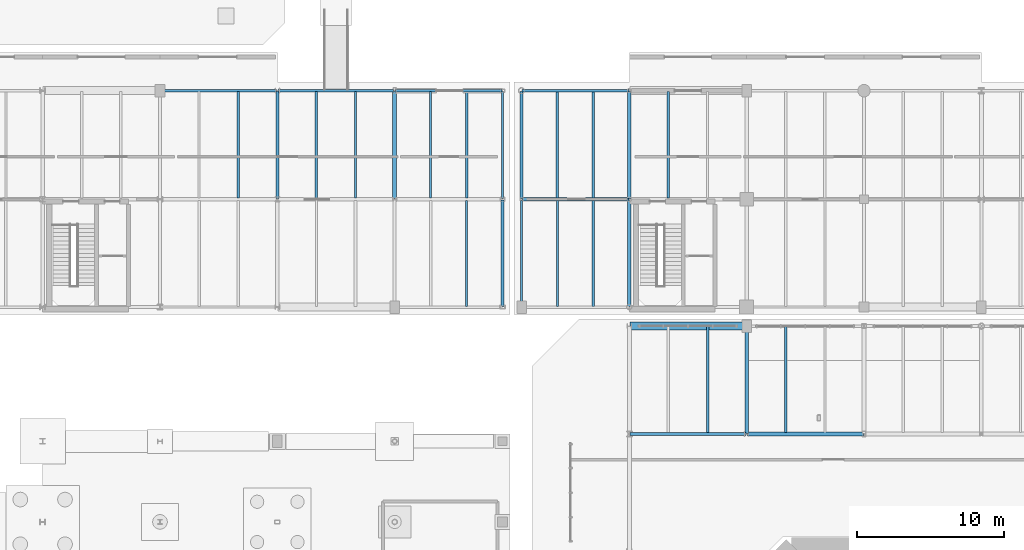
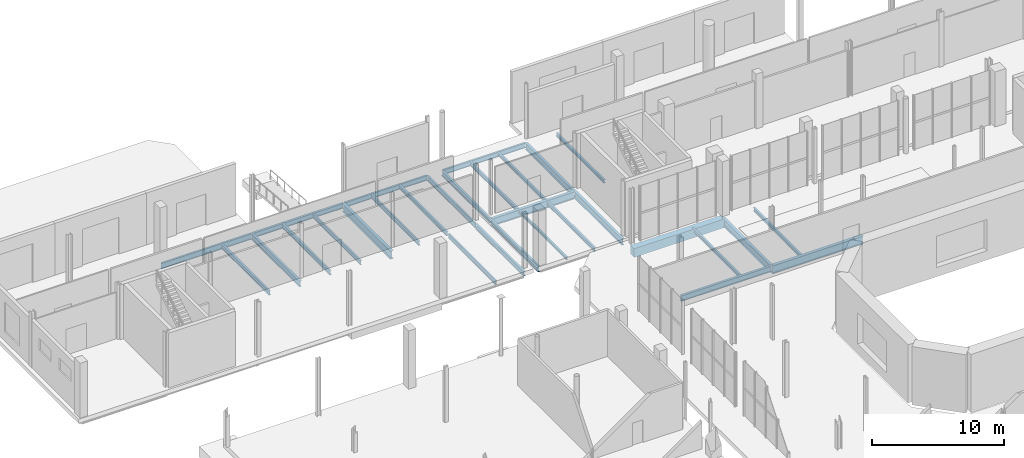
# One storey, part 46 of 87: 30 beams.
"""IFC4 building model written with IfcOpenShell, lengths in metres."""

from ifc_helpers import new_model, si_unit, direction, frame, origin, origin_2d, place, context, subcontext, project, spatial, rectangle, i_section, extrude, material, material_profile, profile_set, type_object, element, save


model = new_model("IFC4")

# Units and contexts
model_context = context("Model", 3, precision=1e-05, world=origin(), true_north=direction((0.0, 1.0)))
body_context = subcontext(model_context, "Body", "Model", "MODEL_VIEW")
ifc_project = project(units=[si_unit("LENGTHUNIT", "METRE"), si_unit("AREAUNIT", "SQUARE_METRE"), si_unit("VOLUMEUNIT", "CUBIC_METRE"), si_unit("PLANEANGLEUNIT", "RADIAN"), si_unit("MASSUNIT", "GRAM", prefix="KILO")], contexts=[model_context])

# Site, building, storey
site_placement = place(None, origin())
site = spatial("IfcSite", under=ifc_project, at=site_placement, CompositionType="ELEMENT")
building_placement = place(site_placement, origin())
building = spatial("IfcBuilding", under=site, at=building_placement, Name="Brisemont Oceanarium", CompositionType="ELEMENT")
storey_placement = place(building_placement, origin())
storey = spatial("IfcBuildingStorey", under=building, at=storey_placement, Name="L00", CompositionType="ELEMENT", Elevation=0.0)

# Beams
ifc_material_1 = material(Name="Concrete C40/50", Category="concrete")
ifc_material_profile_1 = material_profile(ifc_material_1, rectangle(XDim=0.550048828125, YDim=0.800048828125, at=origin_2d()), Name="RC-BM-550X800")
ifc_profile_set_1 = profile_set([ifc_material_profile_1], Name="Concrete C40/50")
beam_type_1 = type_object("IfcBeamType", Name="BM-RC550X800", PredefinedType="SPANDREL", material=ifc_profile_set_1)
beam_1_placement = place(storey_placement, frame((64.0400390625, 79.35009765625, -0.780029296875), z_axis=(1.0, 0.0, 0.0), x_axis=(0.0, 1.0, 0.0)))
element("IfcBeam", 1, at=beam_1_placement, inside=storey, type_object=beam_type_1, Name="V1 L00 EW girder", PredefinedType="SPANDREL", context=body_context, shape_type="SweptSolid", body=[
    extrude(rectangle(XDim=0.550048828125, YDim=0.800048828125, at=origin_2d()), origin(), (0.0, 0.0, 1.0), 7.919921875),
])
ifc_material_2 = material(Name="Structural Steel ASTM A992 Gr.50", Category="steel")
ifc_material_profile_2 = material_profile(ifc_material_2, i_section(OverallWidth=0.14599609375, OverallDepth=0.259033203125, WebThickness=0.006103515625, FlangeThickness=0.009033203125, FilletRadius=0.008056640625, at=origin_2d()), Name="W10X22")
ifc_profile_set_2 = profile_set([ifc_material_profile_2], Name="Structural Steel ASTM A992 Gr.50")
beam_type_2 = type_object("IfcBeamType", Name="BM-W10X22", PredefinedType="LINTEL", material=ifc_profile_set_2)
beam_2_placement = place(storey_placement, frame((59.10009765625, 80.68994140625, -0.509521484375), z_axis=(0.0, 1.0, 0.0), x_axis=(-1.0, 0.0, 0.0)))
element("IfcBeam", 2, at=beam_2_placement, inside=storey, type_object=beam_type_2, Name="V7E L00 secondary floor beam", PredefinedType="LINTEL", context=body_context, shape_type="SweptSolid", body=[
    extrude(i_section(OverallWidth=0.14599609375, OverallDepth=0.259033203125, WebThickness=0.006103515625, FlangeThickness=0.009033203125, FilletRadius=0.008056640625, at=origin_2d()), origin(), (0.0, 0.0, 1.0), 7.219970703125),
])
ifc_material_3 = material(Name="Structural Steel ASTM A992 Gr.50", Category="steel")
ifc_material_profile_3 = material_profile(ifc_material_3, i_section(OverallWidth=0.1650390625, OverallDepth=0.31005859375, WebThickness=0.005859375, FlangeThickness=0.009765625, FilletRadius=0.008056640625, at=origin_2d()), Name="W12X26")
ifc_profile_set_3 = profile_set([ifc_material_profile_3], Name="Structural Steel ASTM A992 Gr.50")
beam_type_3 = type_object("IfcBeamType", Name="BM-W12X26", PredefinedType="JOIST", material=ifc_profile_set_3)
for number, where, z_axis, x_axis, name in (
    (3, (69.333251953125, 72.090087890625, -0.534912109375), (0.0, 1.0, 0.0), (-1.0, 0.0, 0.0), "V1 L00 secondary floor beam"),
    (4, (74.666748046875, 72.090087890625, -0.534912109375), (0.0, 1.0, 0.0), (-1.0, 0.0, 0.0), "V1 L00 secondary floor beam"),
):
    element("IfcBeam", number, at=place(storey_placement, frame(where, z_axis=z_axis, x_axis=x_axis)), inside=storey, type_object=beam_type_3, Name=name, PredefinedType="JOIST", context=body_context, shape_type="SweptSolid", body=[
        extrude(i_section(OverallWidth=0.1650390625, OverallDepth=0.31005859375, WebThickness=0.005859375, FlangeThickness=0.009765625, FilletRadius=0.008056640625, at=origin_2d()), origin(), (0.0, 0.0, 1.0), 7.219970703125),
    ])
for number, where, z_axis, x_axis, name in (
    (5, (61.550048828125, 88.090087890625, -0.534912109375), (0.0, 1.0, 0.0), (-1.0, 0.0, 0.0), "V7E L00 secondary floor beam"),
    (6, (66.666748046875, 88.090087890625, -0.534912109375), (0.0, 1.0, 0.0), (-1.0, 0.0, 0.0), "V7E L00 secondary floor beam"),
):
    element("IfcBeam", number, at=place(storey_placement, frame(where, z_axis=z_axis, x_axis=x_axis)), inside=storey, type_object=beam_type_3, Name=name, PredefinedType="JOIST", context=body_context, shape_type="SweptSolid", body=[
        extrude(i_section(OverallWidth=0.1650390625, OverallDepth=0.31005859375, WebThickness=0.005859375, FlangeThickness=0.009765625, FilletRadius=0.008056640625, at=origin_2d()), origin(), (0.0, 0.0, 1.0), 7.27001953125),
    ])
ifc_material_4 = material(Name="Structural Steel ASTM A992 Gr.50", Category="steel")
ifc_material_profile_4 = material_profile(ifc_material_4, i_section(OverallWidth=0.1708984375, OverallDepth=0.35107421875, WebThickness=0.0068359375, FlangeThickness=0.009765625, FilletRadius=0.010009765625, at=origin_2d()), Name="W14X30")
ifc_profile_set_4 = profile_set([ifc_material_profile_4], Name="Structural Steel ASTM A992 Gr.50")
beam_type_4 = type_object("IfcBeamType", Name="BM-W14X30", PredefinedType="JOIST", material=ifc_profile_set_4)
beam_3_placement = place(storey_placement, frame((52.89990234375, 88.090087890625, -0.555419921875), z_axis=(0.0, 1.0, 0.0), x_axis=(-1.0, 0.0, 0.0)))
element("IfcBeam", 7, at=beam_3_placement, inside=storey, type_object=beam_type_4, Name="V7W L00 secondary floor beam", PredefinedType="JOIST", context=body_context, shape_type="SweptSolid", body=[
    extrude(i_section(OverallWidth=0.1708984375, OverallDepth=0.35107421875, WebThickness=0.0068359375, FlangeThickness=0.009765625, FilletRadius=0.010009765625, at=origin_2d()), origin(), (0.0, 0.0, 1.0), 7.27001953125),
])
beam_4_placement = place(storey_placement, frame((61.550048828125, 80.68994140625, -0.555419921875), z_axis=(0.0, 1.0, 0.0), x_axis=(-1.0, 0.0, 0.0)))
element("IfcBeam", 8, at=beam_4_placement, inside=storey, type_object=beam_type_4, Name="V7E L00 secondary floor beam", PredefinedType="JOIST", context=body_context, shape_type="SweptSolid", body=[
    extrude(i_section(OverallWidth=0.1708984375, OverallDepth=0.35107421875, WebThickness=0.0068359375, FlangeThickness=0.009765625, FilletRadius=0.010009765625, at=origin_2d()), origin(), (0.0, 0.0, 1.0), 7.219970703125),
])
beam_5_placement = place(storey_placement, frame((59.10009765625, 88.090087890625, -0.555419921875), z_axis=(0.0, 1.0, 0.0), x_axis=(-1.0, 0.0, 0.0)))
element("IfcBeam", 9, at=beam_5_placement, inside=storey, type_object=beam_type_4, Name="V7E L00 secondary floor beam", PredefinedType="JOIST", context=body_context, shape_type="SweptSolid", body=[
    extrude(i_section(OverallWidth=0.1708984375, OverallDepth=0.35107421875, WebThickness=0.0068359375, FlangeThickness=0.009765625, FilletRadius=0.010009765625, at=origin_2d()), origin(), (0.0, 0.0, 1.0), 7.27001953125),
])
ifc_material_5 = material(Name="Structural Steel ASTM A992 Gr.50", Category="steel")
ifc_material_profile_5 = material_profile(ifc_material_5, i_section(OverallWidth=0.139892578125, OverallDepth=0.39892578125, WebThickness=0.00634765625, FlangeThickness=0.0087890625, FilletRadius=0.010009765625, at=origin_2d()), Name="W16X26")
ifc_profile_set_5 = profile_set([ifc_material_profile_5], Name="Structural Steel ASTM A992 Gr.50")
beam_type_5 = type_object("IfcBeamType", Name="BM-W16X26", PredefinedType="JOIST", material=ifc_profile_set_5)
beam_6_placement = place(storey_placement, frame((45.333251953125, 88.090087890625, -0.57958984375), z_axis=(0.0, 1.0, 0.0), x_axis=(-1.0, 0.0, 0.0)))
element("IfcBeam", 10, at=beam_6_placement, inside=storey, type_object=beam_type_5, Name="V7W L00 secondary floor beam", PredefinedType="JOIST", context=body_context, shape_type="SweptSolid", body=[
    extrude(i_section(OverallWidth=0.139892578125, OverallDepth=0.39892578125, WebThickness=0.00634765625, FlangeThickness=0.0087890625, FilletRadius=0.010009765625, at=origin_2d()), origin(), (0.0, 0.0, 1.0), 7.27001953125),
])
beam_7_placement = place(storey_placement, frame((52.89990234375, 80.68994140625, -0.57958984375), z_axis=(0.0, 1.0, 0.0), x_axis=(-1.0, 0.0, 0.0)))
element("IfcBeam", 11, at=beam_7_placement, inside=storey, type_object=beam_type_5, Name="V7W L00 secondary floor beam", PredefinedType="JOIST", context=body_context, shape_type="SweptSolid", body=[
    extrude(i_section(OverallWidth=0.139892578125, OverallDepth=0.39892578125, WebThickness=0.00634765625, FlangeThickness=0.0087890625, FilletRadius=0.010009765625, at=origin_2d()), origin(), (0.0, 0.0, 1.0), 7.219970703125),
])
beam_8_placement = place(storey_placement, frame((50.449951171875, 88.090087890625, -0.57958984375), z_axis=(0.0, 1.0, 0.0), x_axis=(-1.0, 0.0, 0.0)))
element("IfcBeam", 12, at=beam_8_placement, inside=storey, type_object=beam_type_5, Name="V7W L00 secondary floor beam", PredefinedType="JOIST", context=body_context, shape_type="SweptSolid", body=[
    extrude(i_section(OverallWidth=0.139892578125, OverallDepth=0.39892578125, WebThickness=0.00634765625, FlangeThickness=0.0087890625, FilletRadius=0.010009765625, at=origin_2d()), origin(), (0.0, 0.0, 1.0), 7.27001953125),
])
ifc_material_6 = material(Name="Structural Steel ASTM A992 Gr.50", Category="steel")
ifc_material_profile_6 = material_profile(ifc_material_6, i_section(OverallWidth=0.177978515625, OverallDepth=0.404052734375, WebThickness=0.007568359375, FlangeThickness=0.010986328125, FilletRadius=0.010009765625, at=origin_2d()), Name="W16X36")
ifc_profile_set_6 = profile_set([ifc_material_profile_6], Name="Structural Steel ASTM A992 Gr.50")
beam_type_6 = type_object("IfcBeamType", Name="BM-W16X36", PredefinedType="JOIST", material=ifc_profile_set_6)
for number, where, z_axis, x_axis, name in (
    (13, (37.333251953125, 88.090087890625, -0.58203125), (0.0, 1.0, 0.0), (-1.0, 0.0, 0.0), "V7W L00 secondary floor beam"),
    (14, (42.666748046875, 88.090087890625, -0.58203125), (0.0, 1.0, 0.0), (-1.0, 0.0, 0.0), "V7W L00 secondary floor beam"),
):
    element("IfcBeam", number, at=place(storey_placement, frame(where, z_axis=z_axis, x_axis=x_axis)), inside=storey, type_object=beam_type_6, Name=name, PredefinedType="JOIST", context=body_context, shape_type="SweptSolid", body=[
        extrude(i_section(OverallWidth=0.177978515625, OverallDepth=0.404052734375, WebThickness=0.007568359375, FlangeThickness=0.010986328125, FilletRadius=0.010009765625, at=origin_2d()), origin(), (0.0, 0.0, 1.0), 7.27001953125),
    ])
ifc_material_7 = material(Name="Structural Steel ASTM A992 Gr.50", Category="steel")
ifc_material_profile_7 = material_profile(ifc_material_7, i_section(OverallWidth=0.154052734375, OverallDepth=0.458984375, WebThickness=0.009033203125, FlangeThickness=0.015380859375, FilletRadius=0.010986328125, at=origin_2d()), Name="W18X46")
ifc_profile_set_7 = profile_set([ifc_material_profile_7], Name="Structural Steel ASTM A992 Gr.50")
beam_type_7 = type_object("IfcBeamType", Name="BM-W18X46", PredefinedType="SPANDREL", material=ifc_profile_set_7)
beam_9_placement = place(storey_placement, frame((48.0400390625, 95.39990234375, -0.609619140625), z_axis=(1.0, 0.0, 0.0), x_axis=(0.0, 1.0, 0.0)))
element("IfcBeam", 15, at=beam_9_placement, inside=storey, type_object=beam_type_7, Name="V7W L00 EW girder", PredefinedType="SPANDREL", context=body_context, shape_type="SweptSolid", body=[
    extrude(i_section(OverallWidth=0.154052734375, OverallDepth=0.458984375, WebThickness=0.009033203125, FlangeThickness=0.015380859375, FilletRadius=0.010986328125, at=origin_2d()), origin(), (0.0, 0.0, 1.0), 7.27001953125),
])
beam_10_placement = place(storey_placement, frame((55.35009765625, 88.0400390625, -0.609619140625), z_axis=(0.0, 1.0, 0.0), x_axis=(-1.0, 0.0, 0.0)))
element("IfcBeam", 16, at=beam_10_placement, inside=storey, type_object=beam_type_7, Name="V7W L00 NS girder", PredefinedType="SPANDREL", context=body_context, shape_type="SweptSolid", body=[
    extrude(i_section(OverallWidth=0.154052734375, OverallDepth=0.458984375, WebThickness=0.009033203125, FlangeThickness=0.015380859375, FilletRadius=0.010986328125, at=origin_2d()), origin(), (0.0, 0.0, 1.0), 7.320068359375),
])
beam_11_placement = place(storey_placement, frame((56.68994140625, 95.39990234375, -0.609619140625), z_axis=(1.0, 0.0, 0.0), x_axis=(0.0, 1.0, 0.0)))
element("IfcBeam", 17, at=beam_11_placement, inside=storey, type_object=beam_type_7, Name="V7E L00 EW girder", PredefinedType="SPANDREL", context=body_context, shape_type="SweptSolid", body=[
    extrude(i_section(OverallWidth=0.154052734375, OverallDepth=0.458984375, WebThickness=0.009033203125, FlangeThickness=0.015380859375, FilletRadius=0.010986328125, at=origin_2d()), origin(), (0.0, 0.0, 1.0), 7.27001953125),
])
ifc_material_8 = material(Name="Structural Steel ASTM A992 Gr.50", Category="steel")
ifc_material_profile_8 = material_profile(ifc_material_8, i_section(OverallWidth=0.19091796875, OverallDepth=0.4599609375, WebThickness=0.010009765625, FlangeThickness=0.01611328125, FilletRadius=0.010986328125, at=origin_2d()), Name="W18X55")
ifc_profile_set_8 = profile_set([ifc_material_profile_8], Name="Structural Steel ASTM A992 Gr.50")
beam_type_8 = type_object("IfcBeamType", Name="BM-W18X55", PredefinedType="SPANDREL", material=ifc_profile_set_8)
beam_12_placement = place(storey_placement, frame((40.0400390625, 95.39990234375, -0.610107421875), z_axis=(1.0, 0.0, 0.0), x_axis=(0.0, 1.0, 0.0)))
element("IfcBeam", 18, at=beam_12_placement, inside=storey, type_object=beam_type_8, Name="V7W L00 EW girder", PredefinedType="SPANDREL", context=body_context, shape_type="SweptSolid", body=[
    extrude(i_section(OverallWidth=0.19091796875, OverallDepth=0.4599609375, WebThickness=0.010009765625, FlangeThickness=0.01611328125, FilletRadius=0.010986328125, at=origin_2d()), origin(), (0.0, 0.0, 1.0), 7.919921875),
])
beam_13_placement = place(storey_placement, frame((55.35009765625, 80.68994140625, -0.610107421875), z_axis=(0.0, 1.0, 0.0), x_axis=(-1.0, 0.0, 0.0)))
element("IfcBeam", 19, at=beam_13_placement, inside=storey, type_object=beam_type_8, Name="V7W L00 NS girder", PredefinedType="SPANDREL", context=body_context, shape_type="SweptSolid", body=[
    extrude(i_section(OverallWidth=0.19091796875, OverallDepth=0.4599609375, WebThickness=0.010009765625, FlangeThickness=0.01611328125, FilletRadius=0.010986328125, at=origin_2d()), origin(), (0.0, 0.0, 1.0), 7.27001953125),
])
beam_14_placement = place(storey_placement, frame((56.64990234375, 88.0400390625, -0.610107421875), z_axis=(0.0, 1.0, 0.0), x_axis=(-1.0, 0.0, 0.0)))
element("IfcBeam", 20, at=beam_14_placement, inside=storey, type_object=beam_type_8, Name="V7E L00 NS girder", PredefinedType="SPANDREL", context=body_context, shape_type="SweptSolid", body=[
    extrude(i_section(OverallWidth=0.19091796875, OverallDepth=0.4599609375, WebThickness=0.010009765625, FlangeThickness=0.01611328125, FilletRadius=0.010986328125, at=origin_2d()), origin(), (0.0, 0.0, 1.0), 7.320068359375),
])
ifc_material_9 = material(Name="Structural Steel ASTM A992 Gr.50", Category="steel")
ifc_material_profile_9 = material_profile(ifc_material_9, i_section(OverallWidth=0.166015625, OverallDepth=0.528076171875, WebThickness=0.009765625, FlangeThickness=0.013671875, FilletRadius=0.012939453125, at=origin_2d()), Name="W21X50")
ifc_profile_set_9 = profile_set([ifc_material_profile_9], Name="Structural Steel ASTM A992 Gr.50")
beam_type_9 = type_object("IfcBeamType", Name="BM-W21X50", PredefinedType="SPANDREL", material=ifc_profile_set_9)
beam_15_placement = place(storey_placement, frame((32.0400390625, 95.39990234375, -0.64404296875), z_axis=(1.0, 0.0, 0.0), x_axis=(0.0, 1.0, 0.0)))
element("IfcBeam", 21, at=beam_15_placement, inside=storey, type_object=beam_type_9, Name="V7W L00 EW girder", PredefinedType="SPANDREL", context=body_context, shape_type="SweptSolid", body=[
    extrude(i_section(OverallWidth=0.166015625, OverallDepth=0.528076171875, WebThickness=0.009765625, FlangeThickness=0.013671875, FilletRadius=0.012939453125, at=origin_2d()), origin(), (0.0, 0.0, 1.0), 7.919921875),
])
beam_16_placement = place(storey_placement, frame((56.64990234375, 80.68994140625, -0.64404296875), z_axis=(0.0, 1.0, 0.0), x_axis=(-1.0, 0.0, 0.0)))
element("IfcBeam", 22, at=beam_16_placement, inside=storey, type_object=beam_type_9, Name="V7E L00 NS girder", PredefinedType="SPANDREL", context=body_context, shape_type="SweptSolid", body=[
    extrude(i_section(OverallWidth=0.166015625, OverallDepth=0.528076171875, WebThickness=0.009765625, FlangeThickness=0.013671875, FilletRadius=0.012939453125, at=origin_2d()), origin(), (0.0, 0.0, 1.0), 7.27001953125),
])
ifc_material_10 = material(Name="Structural Steel ASTM A992 Gr.50", Category="steel")
ifc_material_profile_10 = material_profile(ifc_material_10, i_section(OverallWidth=0.2099609375, OverallDepth=0.532958984375, WebThickness=0.01025390625, FlangeThickness=0.015625, FilletRadius=0.012939453125, at=origin_2d()), Name="W21X62")
ifc_profile_set_10 = profile_set([ifc_material_profile_10], Name="Structural Steel ASTM A992 Gr.50")
beam_type_10 = type_object("IfcBeamType", Name="BM-W21X62", PredefinedType="BEAM", material=ifc_profile_set_10)
beam_17_placement = place(storey_placement, frame((64.0400390625, 72.0, -0.646484375), z_axis=(1.0, 0.0, 0.0), x_axis=(0.0, 1.0, 0.0)))
element("IfcBeam", 23, at=beam_17_placement, inside=storey, type_object=beam_type_10, Name="V1 L00 EW girder", PredefinedType="BEAM", context=body_context, shape_type="SweptSolid", body=[
    extrude(i_section(OverallWidth=0.2099609375, OverallDepth=0.532958984375, WebThickness=0.01025390625, FlangeThickness=0.015625, FilletRadius=0.012939453125, at=origin_2d()), origin(), (0.0, 0.0, 1.0), 7.919921875),
])
beam_18_placement = place(storey_placement, frame((40.0, 88.0400390625, -0.646484375), z_axis=(0.0, 1.0, 0.0), x_axis=(-1.0, 0.0, 0.0)))
element("IfcBeam", 24, at=beam_18_placement, inside=storey, type_object=beam_type_10, Name="V7W L00 NS girder", PredefinedType="BEAM", context=body_context, shape_type="SweptSolid", body=[
    extrude(i_section(OverallWidth=0.2099609375, OverallDepth=0.532958984375, WebThickness=0.01025390625, FlangeThickness=0.015625, FilletRadius=0.012939453125, at=origin_2d()), origin(), (0.0, 0.0, 1.0), 7.320068359375),
])
ifc_material_11 = material(Name="Structural Steel ASTM A992 Gr.50", Category="steel")
ifc_material_profile_11 = material_profile(ifc_material_11, i_section(OverallWidth=0.22802734375, OverallDepth=0.60791015625, WebThickness=0.01123046875, FlangeThickness=0.017333984375, FilletRadius=0.012939453125, at=origin_2d()), Name="W24X76")
ifc_profile_set_11 = profile_set([ifc_material_profile_11], Name="Structural Steel ASTM A992 Gr.50")
beam_type_11 = type_object("IfcBeamType", Name="BM-W24X76", PredefinedType="BEAM", material=ifc_profile_set_11)
beam_19_placement = place(storey_placement, frame((64.0, 88.0400390625, -0.68408203125), z_axis=(0.0, 1.0, 0.0), x_axis=(-1.0, 0.0, 0.0)))
element("IfcBeam", 25, at=beam_19_placement, inside=storey, type_object=beam_type_11, Name="V7E L00 NS girder", PredefinedType="BEAM", context=body_context, shape_type="SweptSolid", body=[
    extrude(i_section(OverallWidth=0.22802734375, OverallDepth=0.60791015625, WebThickness=0.01123046875, FlangeThickness=0.017333984375, FilletRadius=0.012939453125, at=origin_2d()), origin(), (0.0, 0.0, 1.0), 7.320068359375),
])
ifc_material_12 = material(Name="Structural Steel ASTM A992 Gr.50", Category="steel")
ifc_material_profile_12 = material_profile(ifc_material_12, i_section(OverallWidth=0.22900390625, OverallDepth=0.612060546875, WebThickness=0.011962890625, FlangeThickness=0.01953125, FilletRadius=0.012939453125, at=origin_2d()), Name="W24X84")
ifc_profile_set_12 = profile_set([ifc_material_profile_12], Name="Structural Steel ASTM A992 Gr.50")
beam_type_12 = type_object("IfcBeamType", Name="BM-W24X84", PredefinedType="BEAM", material=ifc_profile_set_12)
beam_20_placement = place(storey_placement, frame((64.0, 80.68994140625, -0.68603515625), z_axis=(0.0, 1.0, 0.0), x_axis=(-1.0, 0.0, 0.0)))
element("IfcBeam", 26, at=beam_20_placement, inside=storey, type_object=beam_type_12, Name="V7E L00 NS girder", PredefinedType="BEAM", context=body_context, shape_type="SweptSolid", body=[
    extrude(i_section(OverallWidth=0.22900390625, OverallDepth=0.612060546875, WebThickness=0.011962890625, FlangeThickness=0.01953125, FilletRadius=0.012939453125, at=origin_2d()), origin(), (0.0, 0.0, 1.0), 7.27001953125),
])
ifc_material_13 = material(Name="Structural Steel ASTM A992 Gr.50", Category="steel")
ifc_material_profile_13 = material_profile(ifc_material_13, i_section(OverallWidth=0.25390625, OverallDepth=0.68310546875, WebThickness=0.012451171875, FlangeThickness=0.018798828125, FilletRadius=0.014892578125, at=origin_2d()), Name="W27X94")
ifc_profile_set_13 = profile_set([ifc_material_profile_13], Name="Structural Steel ASTM A992 Gr.50")
beam_type_13 = type_object("IfcBeamType", Name="BM-W27X94", PredefinedType="BEAM", material=ifc_profile_set_13)
for number, where, z_axis, x_axis, name in (
    (27, (72.0, 72.0400390625, -0.721435546875), (0.0, 1.0, 0.0), (-1.0, 0.0, 0.0), "V1 L00 NS girder"),
    (28, (56.68994140625, 88.0, -0.721435546875), (1.0, 0.0, 0.0), (0.0, 1.0, 0.0), "V7E L00 EW girder"),
):
    element("IfcBeam", number, at=place(storey_placement, frame(where, z_axis=z_axis, x_axis=x_axis)), inside=storey, type_object=beam_type_13, Name=name, PredefinedType="BEAM", context=body_context, shape_type="SweptSolid", body=[
        extrude(i_section(OverallWidth=0.25390625, OverallDepth=0.68310546875, WebThickness=0.012451171875, FlangeThickness=0.018798828125, FilletRadius=0.014892578125, at=origin_2d()), origin(), (0.0, 0.0, 1.0), 7.27001953125),
    ])
ifc_material_14 = material(Name="Structural Steel ASTM A992 Gr.50", Category="steel")
ifc_material_profile_14 = material_profile(ifc_material_14, i_section(OverallWidth=0.26708984375, OverallDepth=0.761962890625, WebThickness=0.014404296875, FlangeThickness=0.021484375, FilletRadius=0.01611328125, at=origin_2d()), Name="W30X116")
ifc_profile_set_14 = profile_set([ifc_material_profile_14], Name="Structural Steel ASTM A992 Gr.50")
beam_type_14 = type_object("IfcBeamType", Name="BM-W30X116", PredefinedType="BEAM", material=ifc_profile_set_14)
beam_21_placement = place(storey_placement, frame((72.0400390625, 72.0, -0.760986328125), z_axis=(1.0, 0.0, 0.0), x_axis=(0.0, 1.0, 0.0)))
element("IfcBeam", 29, at=beam_21_placement, inside=storey, type_object=beam_type_14, Name="V1 L00 EW girder", PredefinedType="BEAM", context=body_context, shape_type="SweptSolid", body=[
    extrude(i_section(OverallWidth=0.26708984375, OverallDepth=0.761962890625, WebThickness=0.014404296875, FlangeThickness=0.021484375, FilletRadius=0.01611328125, at=origin_2d()), origin(), (0.0, 0.0, 1.0), 7.919921875),
])
beam_22_placement = place(storey_placement, frame((48.0, 88.0400390625, -0.760986328125), z_axis=(0.0, 1.0, 0.0), x_axis=(-1.0, 0.0, 0.0)))
element("IfcBeam", 30, at=beam_22_placement, inside=storey, type_object=beam_type_14, Name="V7W L00 NS girder", PredefinedType="BEAM", context=body_context, shape_type="SweptSolid", body=[
    extrude(i_section(OverallWidth=0.26708984375, OverallDepth=0.761962890625, WebThickness=0.014404296875, FlangeThickness=0.021484375, FilletRadius=0.01611328125, at=origin_2d()), origin(), (0.0, 0.0, 1.0), 7.320068359375),
])

save(model, "model.ifc")
